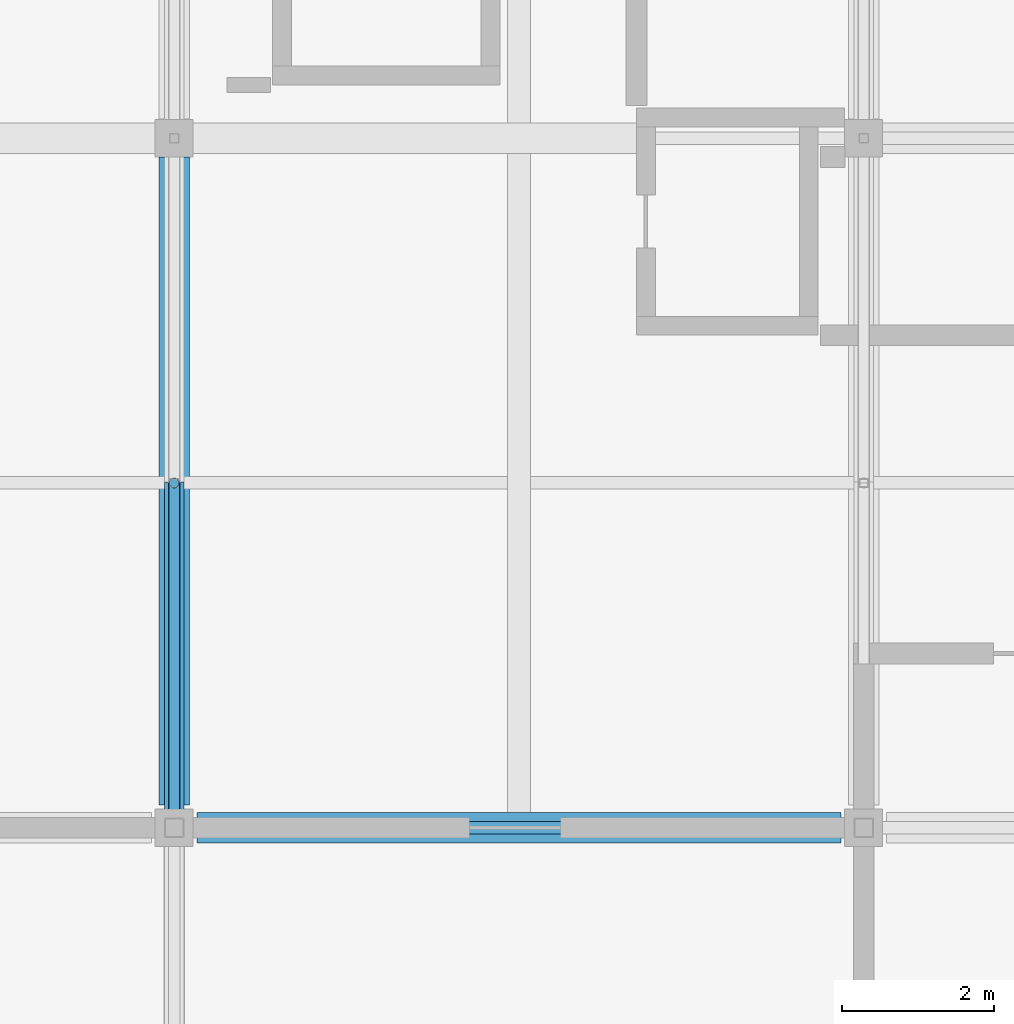
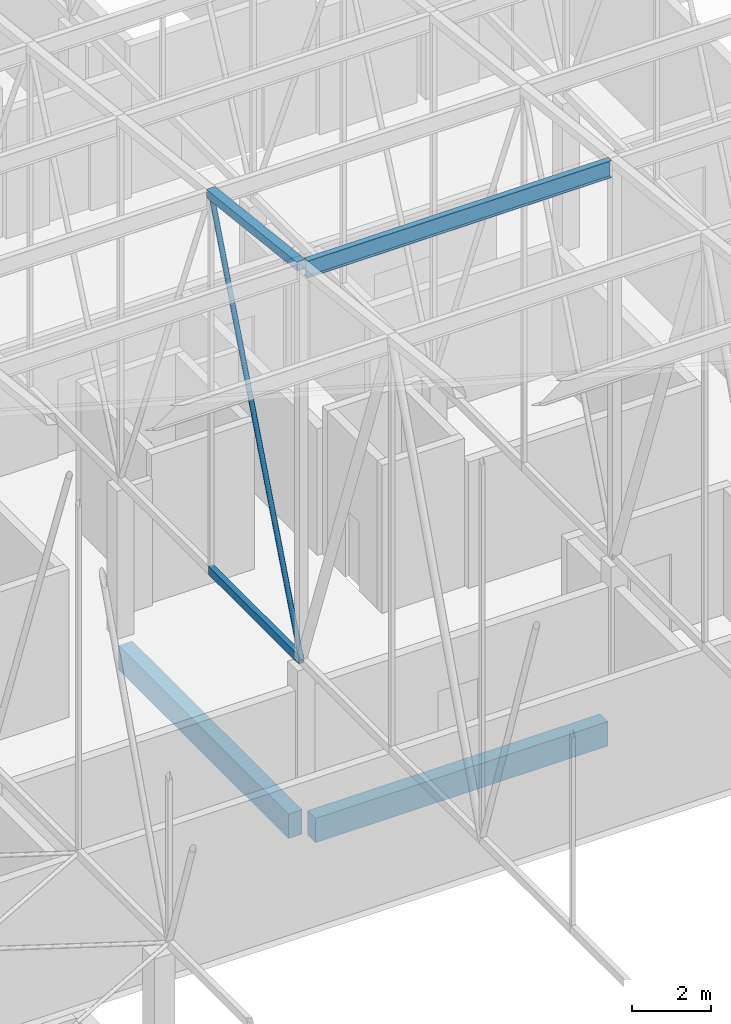
# One storey, part 186 of 500: 4 members, 2 beams.
"""IFC4 building model written with IfcOpenShell, lengths in metres."""

import ifcopenshell
import ifcopenshell.guid

model = None  # the IFC model being written
_history = None  # IfcOwnerHistory: only IFC2X3 demands one
_inside = {}  # id of a spatial element -> (the spatial element, [elements in it])
_under = {}  # id of a project, library or spatial element -> (it, [spatial elements below it])
_declared = {}  # id of a project -> (the project, [libraries it declares])
_typed = {}  # id of a type object -> (the type object, [elements of that type])
_made_of = {}  # id of a material, layer set ... -> (it, [elements and type objects made of it])


def new_model(schema):
    """Start an empty IFC model of exactly this schema.

    Asked for "IFC4X3", IfcOpenShell would pick the latest addendum, in which some entities
    have other attributes; the version numbers below select the first issue.
    IFC2X3 requires an IfcOwnerHistory on every rooted entity: one is made here for all.
    """
    global model, _history
    if schema == "IFC4X3":
        model = ifcopenshell.file(schema_version=(4, 3, 0, 0))
    else:
        model = ifcopenshell.file(schema=schema)
    _inside.clear()
    _under.clear()
    _declared.clear()
    _typed.clear()
    _made_of.clear()
    _history = None
    if model.schema == "IFC2X3":
        org = make("IfcOrganization", Name="unknown")
        user = make(
            "IfcPersonAndOrganization",
            ThePerson=make("IfcPerson", FamilyName="unknown"),
            TheOrganization=org,
        )
        app = make(
            "IfcApplication",
            ApplicationDeveloper=org,
            Version="unknown",
            ApplicationFullName="unknown",
            ApplicationIdentifier="unknown",
        )
        _history = make(
            "IfcOwnerHistory",
            OwningUser=user,
            OwningApplication=app,
            ChangeAction="ADDED",
            CreationDate=0,
        )
    return model


def make(cls, **values):
    """One entity of the class cls with the attributes given. An attribute that is None is left unset."""
    return model.create_entity(
        cls, **{name: value for name, value in values.items() if value is not None}
    )


def rooted(cls, **values):
    """An entity with a GlobalId (a new one), such as an element, a storey or a relation."""
    return make(cls, GlobalId=ifcopenshell.guid.new(), OwnerHistory=_history, **values)


def si_unit(unit_type, name, prefix=None):
    """IfcSIUnit, for example si_unit("LENGTHUNIT", "METRE", prefix="MILLI")."""
    return make("IfcSIUnit", UnitType=unit_type, Prefix=prefix, Name=name)


def assignment(units):
    """IfcUnitAssignment: the units of a project."""
    return None if units is None else make("IfcUnitAssignment", Units=units)


def point(xyz):
    """IfcCartesianPoint."""
    return None if xyz is None else make("IfcCartesianPoint", Coordinates=xyz)


def direction(xyz):
    """IfcDirection."""
    return None if xyz is None else make("IfcDirection", DirectionRatios=xyz)


def frame(location, z_axis=None, x_axis=None):
    """IfcAxis2Placement3D, a coordinate frame: its origin and axes. An axis left out is left unset."""
    return make(
        "IfcAxis2Placement3D",
        Location=point(location),
        Axis=direction(z_axis),
        RefDirection=direction(x_axis),
    )


def frame_2d(location, x_axis=None):
    """IfcAxis2Placement2D, a coordinate frame in the plane: its origin and x axis."""
    return make(
        "IfcAxis2Placement2D", Location=point(location), RefDirection=direction(x_axis)
    )


def origin():
    """The frame at (0, 0, 0) with its axes left unset."""
    return frame((0.0, 0.0, 0.0))


def origin_2d():
    """The frame at (0, 0) in the plane with its x axis left unset."""
    return frame_2d((0.0, 0.0))


def place(relative_to, where):
    """IfcLocalPlacement: puts the frame where relative to a parent placement (None: the world)."""
    return make(
        "IfcLocalPlacement", PlacementRelTo=relative_to, RelativePlacement=where
    )


def context(
    kind, dimensions, precision=None, world=None, true_north=None, identifier=None
):
    """IfcGeometricRepresentationContext, for example the 3D "Model" context."""
    return make(
        "IfcGeometricRepresentationContext",
        ContextIdentifier=identifier,
        ContextType=kind,
        CoordinateSpaceDimension=dimensions,
        Precision=precision,
        WorldCoordinateSystem=world,
        TrueNorth=true_north,
    )


def subcontext(parent, identifier, kind, view, scale=None):
    """IfcGeometricRepresentationSubContext, for example "Body" below "Model"."""
    return make(
        "IfcGeometricRepresentationSubContext",
        ContextIdentifier=identifier,
        ContextType=kind,
        ParentContext=parent,
        TargetScale=scale,
        TargetView=view,
    )


def project(units=None, contexts=None):
    """IfcProject with its units and contexts."""
    return rooted(
        "IfcProject",
        Name="project",
        RepresentationContexts=contexts,
        UnitsInContext=assignment(units),
    )


def spatial(cls, under=None, at=None, **own):
    """A site, building, storey or space (cls), placed at a placement, below another one or the project."""
    s = rooted(cls, ObjectPlacement=at, **own)
    if under is not None:
        _under.setdefault(under.id(), (under, []))[1].append(s)
    return s


def profile(cls, at=None, kind="AREA", **sizes):
    """A parametric profile (cls). Its sizes go by their IFC names, for example OverallWidth=200.0."""
    return make(cls, ProfileType=kind, Position=at, **sizes)


def rectangle(**sizes):
    """IfcRectangleProfileDef."""
    return profile("IfcRectangleProfileDef", **sizes)


def hollow_rectangle(**sizes):
    """IfcRectangleHollowProfileDef."""
    return profile("IfcRectangleHollowProfileDef", **sizes)


def hollow_circle(**sizes):
    """IfcCircleHollowProfileDef."""
    return profile("IfcCircleHollowProfileDef", **sizes)


def i_section(**sizes):
    """IfcIShapeProfileDef."""
    return profile("IfcIShapeProfileDef", **sizes)


def extrude(swept, where, along, depth):
    """IfcExtrudedAreaSolid: the profile swept, set in the frame where, extruded along a direction by depth."""
    return make(
        "IfcExtrudedAreaSolid",
        SweptArea=swept,
        Position=where,
        ExtrudedDirection=direction(along),
        Depth=depth,
    )


def shape(context_of_items, identifier, shape_type, items):
    """IfcShapeRepresentation: the items that make up one representation, for example the "Body"."""
    return make(
        "IfcShapeRepresentation",
        ContextOfItems=context_of_items,
        RepresentationIdentifier=identifier,
        RepresentationType=shape_type,
        Items=items,
    )


def material(Name=None, Category=None):
    """IfcMaterial."""
    return make("IfcMaterial", Name=Name, Category=Category)


def material_profile(
    of_material, cross_section, Name=None, Category=None, Priority=None
):
    """IfcMaterialProfile: a cross section and its material."""
    return make(
        "IfcMaterialProfile",
        Name=Name,
        Material=of_material,
        Profile=cross_section,
        Priority=Priority,
        Category=Category,
    )


def profile_set(profiles, Name=None, composite=None):
    """IfcMaterialProfileSet."""
    return make(
        "IfcMaterialProfileSet",
        Name=Name,
        MaterialProfiles=profiles,
        CompositeProfile=composite,
    )


def made_of(thing, what):
    """Note that an element or type object is made of a material, layer set ...; save() writes the relation."""
    if what is not None:
        _made_of.setdefault(what.id(), (what, []))[1].append(thing)
    return thing


def type_object(cls, material=None, **own):
    """A type object (cls), such as IfcWallType, which elements share."""
    return made_of(rooted(cls, **own), material)


def element(
    cls,
    number,
    at=None,
    inside=None,
    cuts=None,
    type_object=None,
    material=None,
    context=None,
    identifier="Body",
    shape_type=None,
    held_by="IfcProductDefinitionShape",
    body=None,
    shapes=None,
    **own,
):
    """One element of the class cls, such as IfcWall. Its Tag is "e" and its number.

    at: its placement. inside: the storey or other place that contains it. cuts: it is an
    opening in that element (IfcRelVoidsElement). A single representation is given by context,
    identifier, shape_type and body (its items); several are given by shapes. held_by: the class
    of the entity that holds the representations. save() writes the other relations.
    """
    e = rooted(cls, Tag="e%d" % number, ObjectPlacement=at, **own)
    if body is not None:
        shapes = [shape(context, identifier, shape_type, body)]
    if shapes is not None:
        e.Representation = make(held_by, Representations=shapes)
    if inside is not None:
        _inside.setdefault(inside.id(), (inside, []))[1].append(e)
    if cuts is not None:
        rooted(
            "IfcRelVoidsElement", RelatingBuildingElement=cuts, RelatedOpeningElement=e
        )
    if type_object is not None:
        _typed.setdefault(type_object.id(), (type_object, []))[1].append(e)
    return made_of(e, material)


def aggregate(whole, parts):
    """IfcRelAggregates: a whole, such as a stair, and the parts it consists of."""
    return rooted("IfcRelAggregates", RelatingObject=whole, RelatedObjects=parts)


def save(model, path):
    """Write the relations noted so far, then the file.

    IfcRelAggregates (storeys below a building ...), IfcRelContainedInSpatialStructure (elements
    in a storey), IfcRelDefinesByType, IfcRelAssociatesMaterial and IfcRelDeclares: one each for
    every whole, place, type object, material and project.
    """
    for whole, parts in _under.values():
        aggregate(whole, parts)
    for where, things in _inside.values():
        rooted(
            "IfcRelContainedInSpatialStructure",
            RelatedElements=things,
            RelatingStructure=where,
        )
    for kind, things in _typed.values():
        rooted("IfcRelDefinesByType", RelatedObjects=things, RelatingType=kind)
    for what, things in _made_of.values():
        rooted("IfcRelAssociatesMaterial", RelatedObjects=things, RelatingMaterial=what)
    for by, libraries in _declared.values():
        rooted("IfcRelDeclares", RelatingContext=by, RelatedDefinitions=libraries)
    model.write(path)


model = new_model("IFC4")

# Units and contexts
model_context = context("Model", 3, precision=1e-05, world=origin(), true_north=direction((0.0, 1.0)))
body_context = subcontext(model_context, "Body", "Model", "MODEL_VIEW")
ifc_project = project(units=[si_unit("LENGTHUNIT", "METRE"), si_unit("AREAUNIT", "SQUARE_METRE"), si_unit("VOLUMEUNIT", "CUBIC_METRE"), si_unit("PLANEANGLEUNIT", "RADIAN"), si_unit("MASSUNIT", "GRAM", prefix="KILO")], contexts=[model_context])

# Site, building, storey
site_placement = place(None, origin())
site = spatial("IfcSite", under=ifc_project, at=site_placement, CompositionType="ELEMENT")
building_placement = place(site_placement, origin())
building = spatial("IfcBuilding", under=site, at=building_placement, Name="Shirokan Park Arena", CompositionType="ELEMENT")
storey_placement = place(building_placement, frame((0.0, 0.0, 29.1201171875)))
storey = spatial("IfcBuildingStorey", under=building, at=storey_placement, Name="L06", CompositionType="ELEMENT", Elevation=29.1201171875)

# Members
ifc_material_1 = material(Name="Steel ASTM A500 Grade C", Category="steel")
ifc_material_profile_1 = material_profile(ifc_material_1, hollow_rectangle(XDim=0.152099609375, YDim=0.25390625, WallThickness=0.009521484375, at=origin_2d()), Name="HSS254X152.4X9.5")
ifc_profile_set_1 = profile_set([ifc_material_profile_1], Name="Steel ASTM A500 Grade C")
member_type_1 = type_object("IfcMemberType", Name="Bottom chord HSS254X152.4X9.5", PredefinedType="CHORD", material=ifc_profile_set_1)
member_1_placement = place(storey_placement, frame((18.199951171875, 72.800048828125, 4.677001953125), z_axis=(0.0, 1.0, 0.0), x_axis=(-1.0, 0.0, 0.0)))
element("IfcMember", 1, at=member_1_placement, inside=storey, type_object=member_type_1, Name="Truss T03 bottom chord 19", PredefinedType="CHORD", context=body_context, shape_type="SweptSolid", body=[
    extrude(hollow_rectangle(XDim=0.152099609375, YDim=0.25390625, WallThickness=0.009521484375, at=origin_2d()), origin(), (0.0, 0.0, 1.0), 4.550048828125),
])
ifc_material_2 = material(Name="Steel ASTM A992", Category="steel")
ifc_material_profile_2 = material_profile(ifc_material_2, i_section(OverallWidth=0.166015625, OverallDepth=0.528076171875, WebThickness=0.009765625, FlangeThickness=0.013671875, at=origin_2d()), Name="W530X74")
ifc_profile_set_2 = profile_set([ifc_material_profile_2], Name="Steel ASTM A992")
member_type_2 = type_object("IfcMemberType", Name="Purlin W530X74", PredefinedType="PURLIN", material=ifc_profile_set_2)
member_2_placement = place(storey_placement, frame((18.326904296875, 72.800048828125, 16.64599609375), z_axis=(1.0, 0.0, 0.0), x_axis=(0.0, 1.0, 0.0)))
element("IfcMember", 2, at=member_2_placement, inside=storey, type_object=member_type_2, Name="Purlin 19 bay 3", PredefinedType="PURLIN", context=body_context, shape_type="SweptSolid", body=[
    extrude(i_section(OverallWidth=0.166015625, OverallDepth=0.528076171875, WebThickness=0.009765625, FlangeThickness=0.013671875, at=origin_2d()), origin(), (0.0, 0.0, 1.0), 8.84619140625),
])

# Beams
ifc_material_3 = material(Name="Concrete C35", Category="concrete")
ifc_material_profile_3 = material_profile(ifc_material_3, rectangle(XDim=0.39990234375, YDim=0.75, at=origin_2d()), Name="400x750")
ifc_profile_set_3 = profile_set([ifc_material_profile_3], Name="Concrete C35")
beam_type = type_object("IfcBeamType", Name="RC girder 400x750", PredefinedType="BEAM", material=ifc_profile_set_3)
beam_1_placement = place(storey_placement, frame((18.5, 72.800048828125, -0.5751953125), z_axis=(1.0, 0.0, 0.0), x_axis=(0.0, 1.0, 0.0)))
element("IfcBeam", 3, at=beam_1_placement, inside=storey, type_object=beam_type, Name="Girder 3J-4J L06", PredefinedType="BEAM", context=body_context, shape_type="SweptSolid", body=[
    extrude(rectangle(XDim=0.39990234375, YDim=0.75, at=origin_2d()), origin(), (0.0, 0.0, 1.0), 8.5),
])
beam_2_placement = place(storey_placement, frame((18.199951171875, 73.10009765625, -0.5751953125), z_axis=(0.0, 1.0, 0.0), x_axis=(-1.0, 0.0, 0.0)))
element("IfcBeam", 4, at=beam_2_placement, inside=storey, type_object=beam_type, Name="Girder 3J-3K L06", PredefinedType="BEAM", context=body_context, shape_type="SweptSolid", body=[
    extrude(rectangle(XDim=0.39990234375, YDim=0.75, at=origin_2d()), origin(), (0.0, 0.0, 1.0), 8.5498046875),
])

# Members
ifc_material_profile_4 = material_profile(ifc_material_1, hollow_rectangle(XDim=0.25390625, YDim=0.25390625, WallThickness=0.009521484375, at=origin_2d()), Name="HSS254X254X9.5")
ifc_profile_set_4 = profile_set([ifc_material_profile_4], Name="Steel ASTM A500 Grade C")
member_type_3 = type_object("IfcMemberType", Name="Top chord HSS254X254X9.5", PredefinedType="CHORD", material=ifc_profile_set_4)
member_3_placement = place(storey_placement, frame((18.199951171875, 72.800048828125, 16.782958984375), z_axis=(0.0, 0.993532328996, -0.113549598152), x_axis=(-1.0, 0.0, 0.0)))
element("IfcMember", 5, at=member_3_placement, inside=storey, type_object=member_type_3, Name="Truss T03 top chord 19", PredefinedType="CHORD", context=body_context, shape_type="SweptSolid", body=[
    extrude(hollow_rectangle(XDim=0.25390625, YDim=0.25390625, WallThickness=0.009521484375, at=origin_2d()), origin(), (0.0, 0.0, 1.0), 4.57958984375),
])
ifc_material_profile_5 = material_profile(ifc_material_1, hollow_circle(Radius=0.070556640625, WallThickness=0.006591796875, at=origin_2d()), Name="HSS141.3X6.6")
ifc_profile_set_5 = profile_set([ifc_material_profile_5], Name="Steel ASTM A500 Grade C")
member_type_4 = type_object("IfcMemberType", Name="Truss diagonal HSS141.3X6.6", PredefinedType="BRACE", material=ifc_profile_set_5)
member_4_placement = place(storey_placement, frame((18.199951171875, 72.800048828125, 4.677001953125), z_axis=(0.0, 0.365543139237, 0.930794399079), x_axis=(-1.0, 0.0, 0.0)))
element("IfcMember", 6, at=member_4_placement, inside=storey, type_object=member_type_4, Name="Truss T03 diagonal 19", PredefinedType="BRACE", context=body_context, shape_type="SweptSolid", body=[
    extrude(hollow_circle(Radius=0.070556640625, WallThickness=0.006591796875, at=origin_2d()), origin(), (0.0, 0.0, 1.0), 12.447265625),
])

save(model, "model.ifc")
